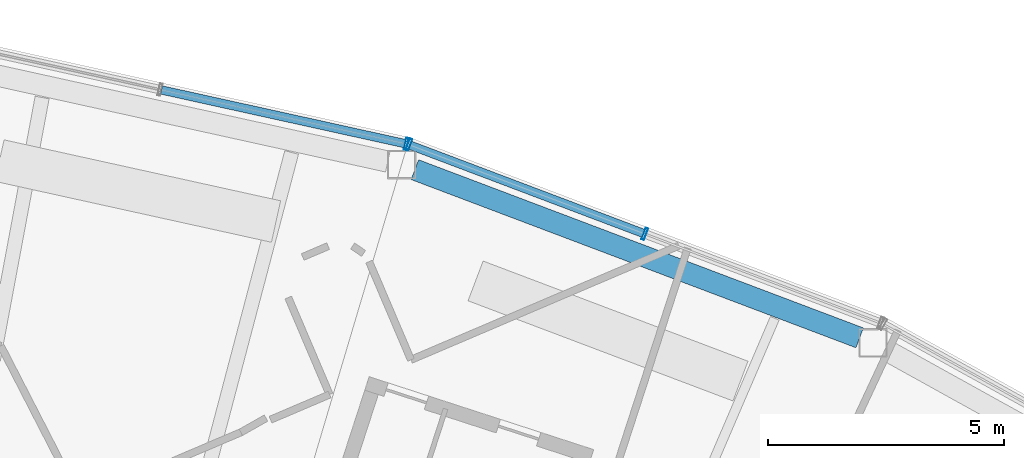
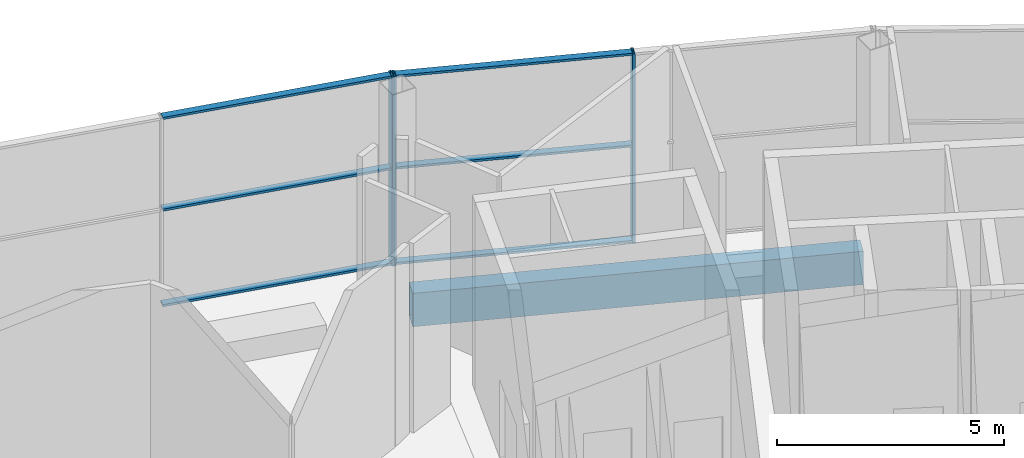
# One storey, part 31 of 43: 9 members, 1 beam, 2 elements without a shape of their own.
"""IFC4 building model written with IfcOpenShell, lengths in metres."""

from ifc_helpers import new_model, si_unit, direction, frame, origin, origin_2d, place, context, subcontext, project, spatial, hollow_rectangle, extrude, material, layer, layer_set, material_profile, profile_set, type_object, element, aggregate, save


model = new_model("IFC4")

# Units and contexts
model_context = context("Model", 3, precision=1e-05, world=origin(), true_north=direction((0.0, 1.0)))
body_context = subcontext(model_context, "Body", "Model", "MODEL_VIEW")
ifc_project = project(units=[si_unit("LENGTHUNIT", "METRE"), si_unit("AREAUNIT", "SQUARE_METRE"), si_unit("VOLUMEUNIT", "CUBIC_METRE"), si_unit("PLANEANGLEUNIT", "RADIAN"), si_unit("MASSUNIT", "GRAM", prefix="KILO")], contexts=[model_context])

# Site, building, storey
site_placement = place(None, origin())
site = spatial("IfcSite", under=ifc_project, at=site_placement, CompositionType="ELEMENT")
building_placement = place(site_placement, origin())
building = spatial("IfcBuilding", under=site, at=building_placement, Name="Tuul Gate Civic Tower", CompositionType="ELEMENT")
storey_placement = place(building_placement, frame((0.0, 0.0, 349.10009765625)))
storey = spatial("IfcBuildingStorey", under=building, at=storey_placement, Name="Observation level 1", CompositionType="ELEMENT", Elevation=349.10009765625)

# Curtain wall, members
ifc_material_1 = material(Name="Stainless steel", Category="steel")
ifc_layer = layer(ifc_material_1, 0.199951171875)
ifc_layer_set = layer_set([ifc_layer], Name="Stainless steel")
curtain_wall_type = type_object("IfcCurtainWallType", Name="Curtain wall CW4", PredefinedType="NOTDEFINED", material=ifc_layer_set)
curtain_wall_1_placement = place(storey_placement, origin())
curtain_wall_1 = element("IfcCurtainWall", 1, at=curtain_wall_1_placement, inside=storey, type_object=curtain_wall_type, Name="Curtain wall CW4", PredefinedType="NOTDEFINED")
ifc_material_2 = material(Name="Stainless steel", Category="steel")
ifc_material_profile_1 = material_profile(ifc_material_2, hollow_rectangle(XDim=0.260009765625, YDim=0.06005859375, WallThickness=0.006103515625, at=origin_2d()), Name="CW4 mullion")
ifc_profile_set_1 = profile_set([ifc_material_profile_1], Name="Stainless steel")
member_type_1 = type_object("IfcMemberType", Name="CW4 mullion", PredefinedType="MULLION", material=ifc_profile_set_1)
member_1_placement = place(storey_placement, frame((28.4208984375, 9.291015625, 0.0), z_axis=(0.0, 0.0, 1.0), x_axis=(-0.35373363489, -0.935346200905, 0.0)))
member_1 = element("IfcMember", 2, at=member_1_placement, type_object=member_type_1, Name="Mullion", PredefinedType="MULLION", context=body_context, shape_type="SweptSolid", body=[
    extrude(hollow_rectangle(XDim=0.260009765625, YDim=0.06005859375, WallThickness=0.006103515625, at=origin_2d()), origin(), (0.0, 0.0, 1.0), 5.099853515625),
])
member_2_placement = place(storey_placement, frame((23.425048828125, 11.180419921875, 0.0), z_axis=(0.0, 0.0, 1.0), x_axis=(-0.35373363489, -0.935346200905, 0.0)))
member_2 = element("IfcMember", 3, at=member_2_placement, type_object=member_type_1, Name="Mullion", PredefinedType="MULLION", context=body_context, shape_type="SweptSolid", body=[
    extrude(hollow_rectangle(XDim=0.260009765625, YDim=0.06005859375, WallThickness=0.006103515625, at=origin_2d()), origin(), (0.0, 0.0, 1.0), 5.099853515625),
])

# Curtain wall, member
curtain_wall_2_placement = place(storey_placement, origin())
curtain_wall_2 = element("IfcCurtainWall", 4, at=curtain_wall_2_placement, inside=storey, type_object=curtain_wall_type, Name="Curtain wall CW4", PredefinedType="NOTDEFINED")
member_3_placement = place(storey_placement, frame((23.36767578125, 11.197509765625, 0.0), z_axis=(0.0, 0.0, 1.0), x_axis=(-0.215215147882, -0.976566659334, 0.0)))
member_3 = element("IfcMember", 5, at=member_3_placement, type_object=member_type_1, Name="Mullion", PredefinedType="MULLION", context=body_context, shape_type="SweptSolid", body=[
    extrude(hollow_rectangle(XDim=0.260009765625, YDim=0.06005859375, WallThickness=0.006103515625, at=origin_2d()), origin(), (0.0, 0.0, 1.0), 5.099853515625),
])

# Member
ifc_material_3 = material(Name="Stainless steel", Category="steel")
ifc_material_profile_2 = material_profile(ifc_material_3, hollow_rectangle(XDim=0.179931640625, YDim=0.06005859375, WallThickness=0.006103515625, at=origin_2d()), Name="CW4 transom")
ifc_profile_set_2 = profile_set([ifc_material_profile_2], Name="Stainless steel")
member_type_2 = type_object("IfcMemberType", Name="CW4 transom", PredefinedType="USERDEFINED", material=ifc_profile_set_2)
member_4_placement = place(storey_placement, frame((28.392822265625, 9.301513671875, 0.02978515625), z_axis=(-0.935343314726, 0.35374126646, 0.0), x_axis=(-0.35374126646, -0.935343314726, 0.0)))
member_4 = element("IfcMember", 6, at=member_4_placement, type_object=member_type_2, Name="Transom", ObjectType="TRANSOM", PredefinedType="USERDEFINED", context=body_context, shape_type="SweptSolid", body=[
    extrude(hollow_rectangle(XDim=0.179931640625, YDim=0.06005859375, WallThickness=0.006103515625, at=origin_2d()), origin(), (0.0, 0.0, 1.0), 5.28125),
])

member_5_placement = place(storey_placement, frame((28.392822265625, 9.301513671875, 2.599853515625), z_axis=(-0.935343314726, 0.35374126646, 0.0), x_axis=(-0.35374126646, -0.935343314726, 0.0)))
member_5 = element("IfcMember", 7, at=member_5_placement, type_object=member_type_2, Name="Transom", ObjectType="TRANSOM", PredefinedType="USERDEFINED", context=body_context, shape_type="SweptSolid", body=[
    extrude(hollow_rectangle(XDim=0.179931640625, YDim=0.06005859375, WallThickness=0.006103515625, at=origin_2d()), origin(), (0.0, 0.0, 1.0), 5.28125),
])

member_6_placement = place(storey_placement, frame((28.392822265625, 9.301513671875, 5.06982421875), z_axis=(-0.935343314726, 0.35374126646, 0.0), x_axis=(-0.35374126646, -0.935343314726, 0.0)))
member_6 = element("IfcMember", 8, at=member_6_placement, type_object=member_type_2, Name="Transom", ObjectType="TRANSOM", PredefinedType="USERDEFINED", context=body_context, shape_type="SweptSolid", body=[
    extrude(hollow_rectangle(XDim=0.179931640625, YDim=0.06005859375, WallThickness=0.006103515625, at=origin_2d()), origin(), (0.0, 0.0, 1.0), 5.28125),
])

aggregate(curtain_wall_1, [member_1, member_2, member_4, member_5, member_6])

member_7_placement = place(storey_placement, frame((23.33837890625, 11.203857421875, 0.02978515625), z_axis=(-0.976561939661, 0.215236562891, 0.0), x_axis=(-0.215236562891, -0.976561939661, 0.0)))
member_7 = element("IfcMember", 9, at=member_7_placement, type_object=member_type_2, Name="Transom", ObjectType="TRANSOM", PredefinedType="USERDEFINED", context=body_context, shape_type="SweptSolid", body=[
    extrude(hollow_rectangle(XDim=0.179931640625, YDim=0.06005859375, WallThickness=0.006103515625, at=origin_2d()), origin(), (0.0, 0.0, 1.0), 5.28125),
])

member_8_placement = place(storey_placement, frame((23.33837890625, 11.203857421875, 2.599853515625), z_axis=(-0.976561939661, 0.215236562891, 0.0), x_axis=(-0.215236562891, -0.976561939661, 0.0)))
member_8 = element("IfcMember", 10, at=member_8_placement, type_object=member_type_2, Name="Transom", ObjectType="TRANSOM", PredefinedType="USERDEFINED", context=body_context, shape_type="SweptSolid", body=[
    extrude(hollow_rectangle(XDim=0.179931640625, YDim=0.06005859375, WallThickness=0.006103515625, at=origin_2d()), origin(), (0.0, 0.0, 1.0), 5.28125),
])

member_9_placement = place(storey_placement, frame((23.33837890625, 11.203857421875, 5.06982421875), z_axis=(-0.976561939661, 0.215236562891, 0.0), x_axis=(-0.215236562891, -0.976561939661, 0.0)))
member_9 = element("IfcMember", 11, at=member_9_placement, type_object=member_type_2, Name="Transom", ObjectType="TRANSOM", PredefinedType="USERDEFINED", context=body_context, shape_type="SweptSolid", body=[
    extrude(hollow_rectangle(XDim=0.179931640625, YDim=0.06005859375, WallThickness=0.006103515625, at=origin_2d()), origin(), (0.0, 0.0, 1.0), 5.28125),
])

aggregate(curtain_wall_2, [member_3, member_7, member_8, member_9])

# Beam
ifc_material_4 = material(Name="Steel S355", Category="steel")
ifc_material_profile_3 = material_profile(ifc_material_4, hollow_rectangle(XDim=0.449951171875, YDim=0.89990234375, WallThickness=0.02490234375, at=origin_2d()), Name="BOX900x450x25")
ifc_profile_set_3 = profile_set([ifc_material_profile_3], Name="Steel S355")
beam_type = type_object("IfcBeamType", Name="STR-SPANDREL BEAM-BOX900x450x25", PredefinedType="BEAM", material=ifc_profile_set_3)
beam_placement = place(storey_placement, frame((32.975341796875, 7.088134765625, -0.85009765625), z_axis=(-0.935377903805, 0.353649794391, 0.0), x_axis=(-0.353649794391, -0.935377903805, 0.0)))
element("IfcBeam", 12, at=beam_placement, inside=storey, type_object=beam_type, Name="Spandrel beam", PredefinedType="BEAM", context=body_context, shape_type="SweptSolid", body=[
    extrude(hollow_rectangle(XDim=0.449951171875, YDim=0.89990234375, WallThickness=0.02490234375, at=origin_2d()), origin(), (0.0, 0.0, 1.0), 10.076904296875),
])

save(model, "model.ifc")
